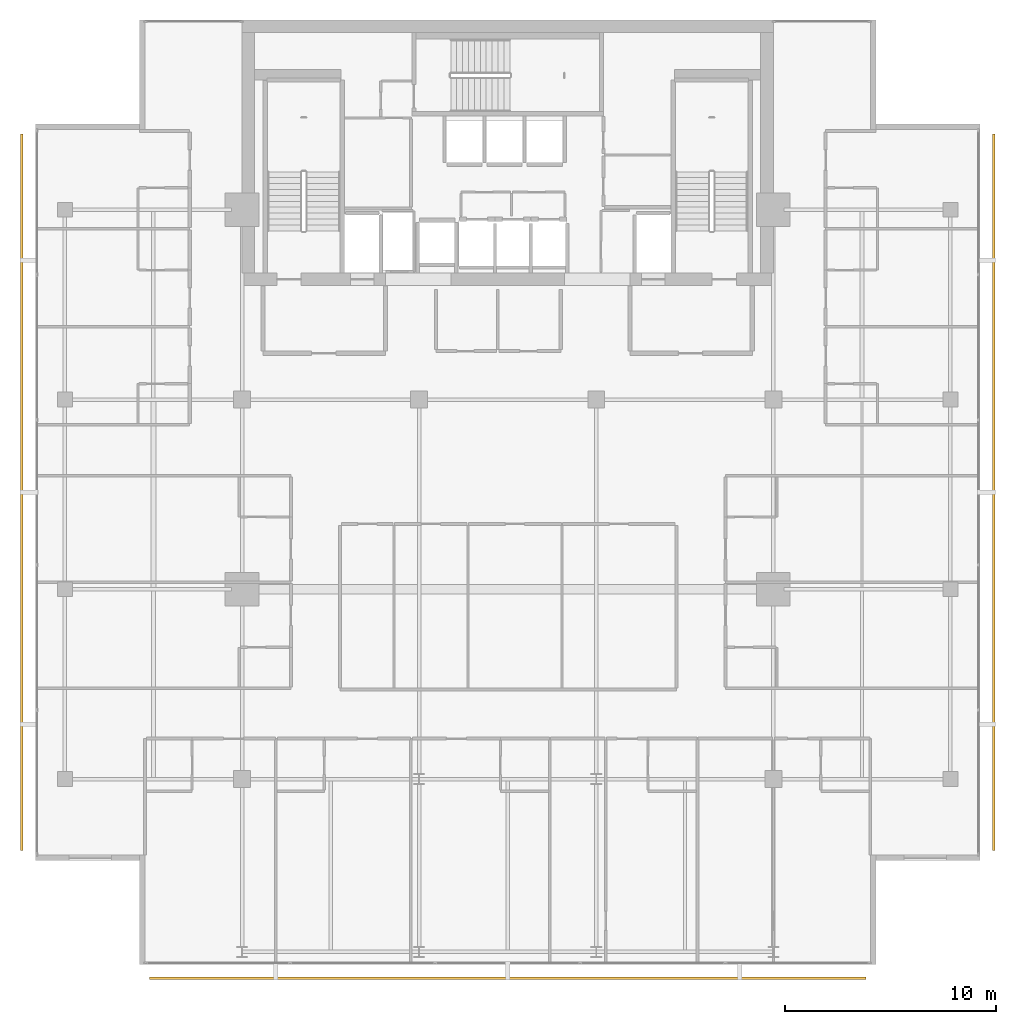
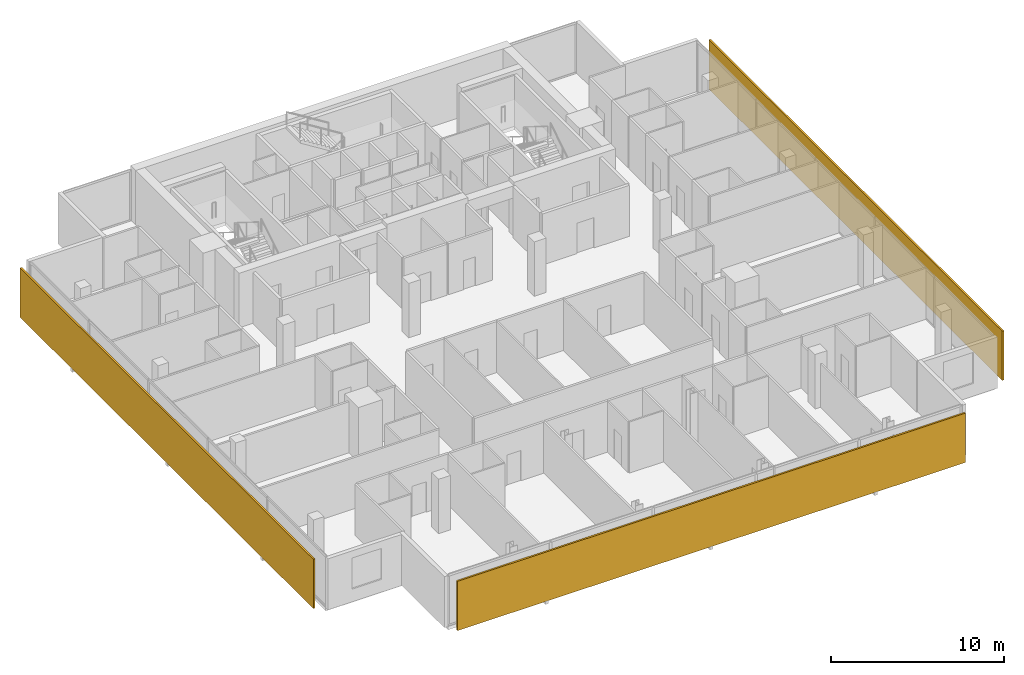
# One storey, part 25 of 26: 3 shading devices.
"""IFC4 building model written with IfcOpenShell, lengths in metres."""

from ifc_helpers import new_model, si_unit, direction, frame, origin, origin_2d, place, context, subcontext, project, spatial, rectangle, extrude, material, layer, layer_set, type_object, element, save


model = new_model("IFC4")

# Units and contexts
model_context = context("Model", 3, precision=1e-05, world=origin(), true_north=direction((0.0, 1.0)))
body_context = subcontext(model_context, "Body", "Model", "MODEL_VIEW")
ifc_project = project(units=[si_unit("LENGTHUNIT", "METRE"), si_unit("AREAUNIT", "SQUARE_METRE"), si_unit("VOLUMEUNIT", "CUBIC_METRE"), si_unit("PLANEANGLEUNIT", "RADIAN"), si_unit("MASSUNIT", "GRAM", prefix="KILO")], contexts=[model_context])

# Site, building, storey
site_placement = place(None, origin())
site = spatial("IfcSite", under=ifc_project, at=site_placement, CompositionType="ELEMENT")
building_placement = place(site_placement, origin())
building = spatial("IfcBuilding", under=site, at=building_placement, Name="Maruvema Waterfront Hotel and Observation Tower", CompositionType="ELEMENT")
storey_placement = place(building_placement, frame((0.0, 0.0, 289.449951171875)))
storey = spatial("IfcBuildingStorey", under=building, at=storey_placement, Name="L71", CompositionType="ELEMENT", Elevation=289.449951171875)

# Shading devices
ifc_material = material(Name="Honed travertine stone and anodised architectural bronze", Category="masonry")
ifc_layer = layer(ifc_material, 0.1201171875, Name="Ventilated Outer Skin Cobogo Stone-and-Bronze Screen 120 mm")
ifc_layer_set = layer_set([ifc_layer], Name="Honed travertine stone and anodised architectural bronze")
shading_device_type = type_object("IfcShadingDeviceType", Name="Ventilated Outer Skin Cobogo Stone-and-Bronze Screen 120 mm", PredefinedType="USERDEFINED", material=ifc_layer_set)
for number, where, z_axis, x_axis, name in (
    (1, (37.800048828125, 8.550048828125, 0.06005859375), (0.0, 0.0, 1.0), (1.0, 0.0, 0.0), "L71 Ventilated Double-Skin Outer Cobogo Screen OS-L71-S"),
    (2, (60.85009765625, 31.60009765625, 0.06005859375), (0.0, 0.0, 1.0), (0.0, 1.0, 0.0), "L71 Ventilated Double-Skin Outer Cobogo Screen OS-L71-E"),
    (3, (14.75, 31.60009765625, 0.06005859375), (0.0, 0.0, 1.0), (0.0, -1.0, 0.0), "L71 Ventilated Double-Skin Outer Cobogo Screen OS-L71-W"),
):
    element("IfcShadingDevice", number, at=place(storey_placement, frame(where, z_axis=z_axis, x_axis=x_axis)), inside=storey, type_object=shading_device_type, Name=name, ObjectType="OUTER SKIN SCREEN", PredefinedType="USERDEFINED", context=body_context, shape_type="SweptSolid", body=[
        extrude(rectangle(XDim=34.0, YDim=0.1201171875, at=origin_2d()), origin(), (0.0, 0.0, 1.0), 3.489990234375),
    ])

save(model, "model.ifc")
